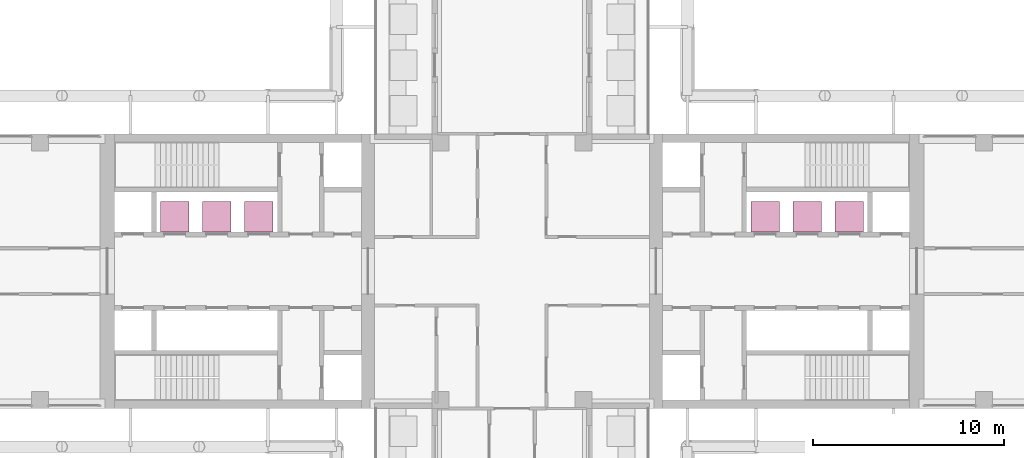
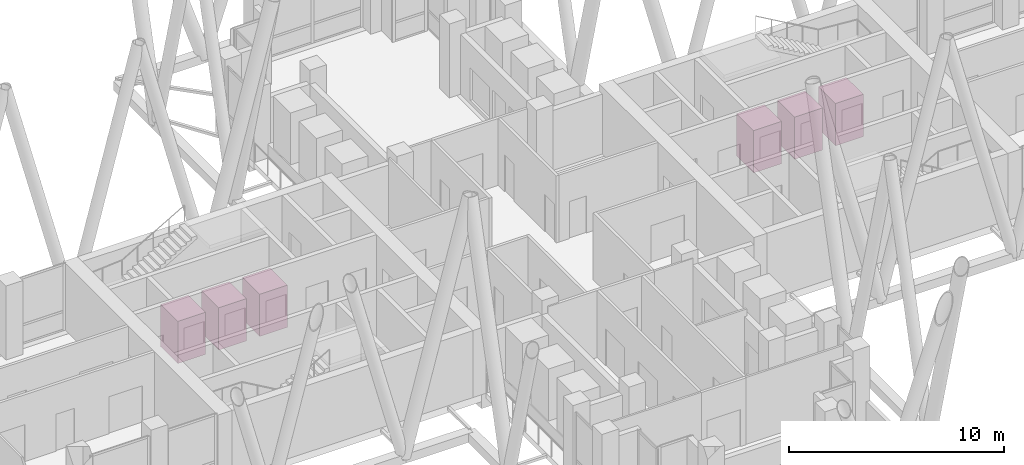
# One storey, part 21 of 22: 6 transport elements.
"""IFC4 building model written with IfcOpenShell, lengths in metres."""

from ifc_helpers import new_model, si_unit, direction, frame, origin, origin_2d, place, context, subcontext, project, spatial, rectangle, extrude, material, type_object, element, save


model = new_model("IFC4")

# Units and contexts
model_context = context("Model", 3, precision=1e-05, world=origin(), true_north=direction((0.0, 1.0)))
body_context = subcontext(model_context, "Body", "Model", "MODEL_VIEW")
ifc_project = project(units=[si_unit("LENGTHUNIT", "METRE"), si_unit("AREAUNIT", "SQUARE_METRE"), si_unit("VOLUMEUNIT", "CUBIC_METRE"), si_unit("PLANEANGLEUNIT", "RADIAN"), si_unit("MASSUNIT", "GRAM", prefix="KILO")], contexts=[model_context])

# Site, building, storey
site_placement = place(None, origin())
site = spatial("IfcSite", under=ifc_project, at=site_placement, CompositionType="ELEMENT")
building_placement = place(site_placement, origin())
building = spatial("IfcBuilding", under=site, at=building_placement, Name="Fustian Cross Tower", CompositionType="ELEMENT")
storey_placement = place(building_placement, frame((0.0, 0.0, 116.10009765625)))
storey = spatial("IfcBuildingStorey", under=building, at=storey_placement, Name="L36", CompositionType="ELEMENT", Elevation=116.10009765625)

# Transport elements
ifc_material = material(Name="Steel S355", Category="steel")
transport_element_type = type_object("IfcTransportElementType", Name="PASSENGER LIFT 1000 KG", PredefinedType="ELEVATOR", material=ifc_material)
for number, where, z_axis, x_axis, name in (
    (1, (13.27490234375, 2.85009765625, 0.0), (0.0, 0.0, 1.0), (1.0, 0.0, 0.0), "Lift HR1"),
    (2, (15.47509765625, 2.85009765625, 0.0), (0.0, 0.0, 1.0), (1.0, 0.0, 0.0), "Lift HR2"),
    (3, (17.675048828125, 2.85009765625, 0.0), (0.0, 0.0, 1.0), (1.0, 0.0, 0.0), "Lift HR3"),
    (4, (-13.27490234375, 2.85009765625, 0.0), (0.0, 0.0, 1.0), (1.0, 0.0, 0.0), "Lift HR1W"),
    (5, (-15.47509765625, 2.85009765625, 0.0), (0.0, 0.0, 1.0), (1.0, 0.0, 0.0), "Lift HR2W"),
    (6, (-17.675048828125, 2.85009765625, 0.0), (0.0, 0.0, 1.0), (1.0, 0.0, 0.0), "Lift HR3W"),
):
    element("IfcTransportElement", number, at=place(storey_placement, frame(where, z_axis=z_axis, x_axis=x_axis)), inside=storey, type_object=transport_element_type, Name=name, PredefinedType="ELEVATOR", context=body_context, shape_type="SweptSolid", body=[
        extrude(rectangle(XDim=1.5, YDim=1.60009765625, at=origin_2d()), origin(), (0.0, 0.0, 1.0), 2.39990234375),
    ])

save(model, "model.ifc")
